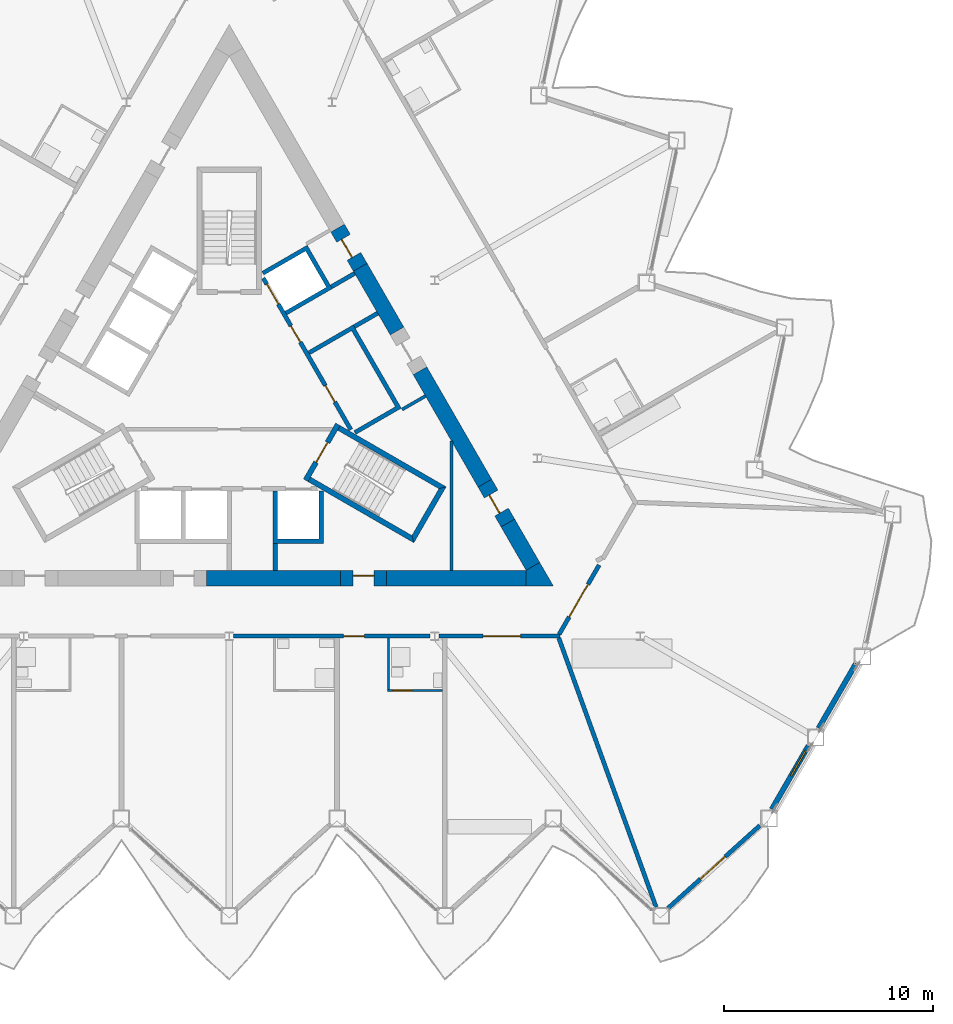
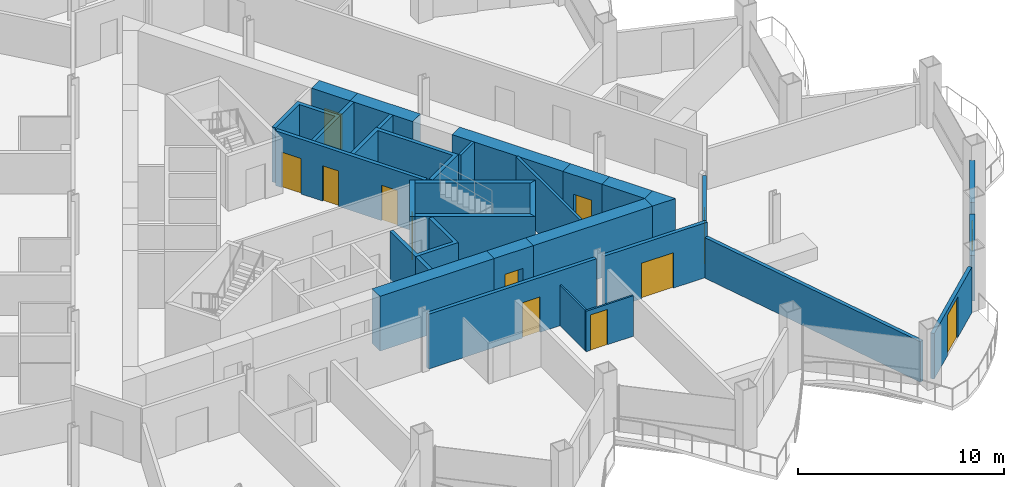
# One storey, part 13 of 23: 31 walls, 12 doors, 1 window, 13 openings.
"""IFC4 building model written with IfcOpenShell, lengths in metres."""

from ifc_helpers import new_model, si_unit, direction, frame, frame_2d, origin, place, context, subcontext, project, spatial, polyline, rectangle, outline, extrude, material, layer, layer_set, type_object, element, fill, save


model = new_model("IFC4")

# Units and contexts
model_context = context("Model", 3, precision=1e-05, world=origin(), true_north=direction((0.0, 1.0)))
body_context = subcontext(model_context, "Body", "Model", "MODEL_VIEW")
ifc_project = project(units=[si_unit("LENGTHUNIT", "METRE"), si_unit("AREAUNIT", "SQUARE_METRE"), si_unit("VOLUMEUNIT", "CUBIC_METRE"), si_unit("PLANEANGLEUNIT", "RADIAN"), si_unit("MASSUNIT", "GRAM", prefix="KILO")], contexts=[model_context])

# Site, building, storey
site_placement = place(None, origin())
site = spatial("IfcSite", under=ifc_project, at=site_placement, CompositionType="ELEMENT")
building_placement = place(site_placement, origin())
building = spatial("IfcBuilding", under=site, at=building_placement, Name="Cormorant Prow Tower", CompositionType="ELEMENT")
storey_placement = place(building_placement, frame((0.0, 0.0, 208.800048828125)))
storey = spatial("IfcBuildingStorey", under=building, at=storey_placement, Name="L46", CompositionType="ELEMENT", Elevation=208.800048828125)

# Walls
ifc_material_1 = material(Name="Gypsum board partition")
ifc_layer_1 = layer(ifc_material_1, 0.14990234375)
ifc_layer_set_1 = layer_set([ifc_layer_1], Name="Gypsum board partition")
wall_type_1 = type_object("IfcWallType", Name="Core partition 150", PredefinedType="PARTITIONING", material=ifc_layer_set_1)
wall_1_placement = place(storey_placement, frame((8.268310546875, -0.509033203125, 0.0), z_axis=(0.0, 0.0, 1.0), x_axis=(0.866003189247, 0.500038474733, 0.0)))
element("IfcWall", 1, at=wall_1_placement, inside=storey, type_object=wall_type_1, Name="Service room partition", PredefinedType="PARTITIONING", context=body_context, shape_type="SweptSolid", body=[
    extrude(rectangle(XDim=1.29296875, YDim=0.14990234375, at=frame_2d((0.646484375, 0.0))), origin(), (0.0, 0.0, 1.0), 3.25),
])
wall_2_placement = place(storey_placement, frame((10.630615234375, -8.198974609375, 0.0), z_axis=(0.0, 0.0, 1.0), x_axis=(0.0, 1.0, 0.0)))
element("IfcWall", 2, at=wall_2_placement, inside=storey, type_object=wall_type_1, Name="Service room partition", PredefinedType="PARTITIONING", context=body_context, shape_type="SweptSolid", body=[
    extrude(rectangle(XDim=6.18408203125, YDim=0.14990234375, at=frame_2d((3.092041015625, 0.0))), origin(), (0.0, 0.0, 1.0), 3.25),
])
ifc_material_2 = material(Name="Concrete 8000 psi", Category="concrete")
ifc_layer_2 = layer(ifc_material_2, 0.75)
ifc_layer_set_2 = layer_set([ifc_layer_2], Name="Concrete 8000 psi")
wall_type_2 = type_object("IfcWallType", Name="Core shear wall 750", PredefinedType="SHEAR", material=ifc_layer_set_2)
wall_3_placement = place(storey_placement, frame((7.52783203125, -8.573974609375, 0.0), z_axis=(0.0, 0.0, 1.0), x_axis=(1.0, 0.0, 0.0)))
element("IfcWall", 3, at=wall_3_placement, inside=storey, type_object=wall_type_2, Name="Core wall", PredefinedType="SHEAR", context=body_context, shape_type="SweptSolid", body=[
    extrude(rectangle(XDim=6.673095703125, YDim=0.75, at=frame_2d((3.33642578125, 0.0))), origin(), (0.0, 0.0, 1.0), 3.25),
])
wall_4_placement = place(storey_placement, frame((-1.07763671875, -8.573974609375, 0.0), z_axis=(0.0, 0.0, 1.0), x_axis=(1.0, 0.0, 0.0)))
element("IfcWall", 4, at=wall_4_placement, inside=storey, type_object=wall_type_2, Name="Core wall", PredefinedType="SHEAR", context=body_context, shape_type="SweptSolid", body=[
    extrude(rectangle(XDim=6.405517578125, YDim=0.75, at=frame_2d((3.20263671875, 0.0))), origin(), (0.0, 0.0, 1.0), 3.25),
])
wall_5_placement = place(storey_placement, frame((12.22802734375, -4.03173828125, 0.0), z_axis=(0.0, 0.0, 1.0), x_axis=(-0.499993760127, 0.866029006347, 0.0)))
element("IfcWall", 5, at=wall_5_placement, inside=storey, type_object=wall_type_2, Name="Core wall", PredefinedType="SHEAR", context=body_context, shape_type="SweptSolid", body=[
    extrude(rectangle(XDim=6.20556640625, YDim=0.75, at=frame_2d((3.102783203125, 0.0))), origin(), (0.0, 0.0, 1.0), 3.25),
])
wall_6_placement = place(storey_placement, frame((8.025146484375, 3.247802734375, 0.0), z_axis=(0.0, 0.0, 1.0), x_axis=(-0.499958618571, 0.866049294045, 0.0)))
element("IfcWall", 6, at=wall_6_placement, inside=storey, type_object=wall_type_2, Name="Core wall", PredefinedType="SHEAR", context=body_context, shape_type="SweptSolid", body=[
    extrude(rectangle(XDim=3.519775390625, YDim=0.75, at=frame_2d((1.759765625, 0.0))), origin(), (0.0, 0.0, 1.0), 3.25),
])
wall_7_placement = place(storey_placement, frame((14.525634765625, -8.011474609375, 0.0), z_axis=(0.0, 0.0, 1.0), x_axis=(-0.499943030081, 0.866058292884, 0.0)))
element("IfcWall", 7, at=wall_7_placement, inside=storey, type_object=wall_type_2, Name="Core wall", PredefinedType="SHEAR", context=body_context, shape_type="SweptSolid", body=[
    extrude(rectangle(XDim=2.395263671875, YDim=0.75, at=frame_2d((1.19775390625, 0.0))), origin(), (0.0, 0.0, 1.0), 3.25),
])
wall_8_placement = place(storey_placement, origin())
element("IfcWall", 8, at=wall_8_placement, inside=storey, type_object=wall_type_2, Name="Core wall corner", PredefinedType="SHEAR", context=body_context, shape_type="SweptSolid", body=[
    extrude(outline(polyline([(14.200927734375, -8.948974609375), (14.200927734375, -8.198974609375), (14.8505859375, -7.823974609375), (15.5, -8.948974609375), (14.200927734375, -8.948974609375)])), origin(), (0.0, 0.0, 1.0), 3.25),
])

# Wall, opening, door
wall_9_placement = place(storey_placement, frame((13.328125, -5.93701171875, 0.0), z_axis=(0.0, 0.0, 1.0), x_axis=(-0.50002983664, 0.866008176907, 0.0)))
wall_9 = element("IfcWall", 9, at=wall_9_placement, inside=storey, type_object=wall_type_2, Name="Core wall door panel", PredefinedType="SHEAR", context=body_context, shape_type="SweptSolid", body=[
    extrude(rectangle(XDim=2.199951171875, YDim=0.75, at=frame_2d((1.10009765625, 0.0))), origin(), (0.0, 0.0, 1.0), 3.25),
])
opening_1_placement = place(wall_9_placement, frame((0.60009765625, 0.0, 0.0)))
opening_1 = element("IfcOpeningElement", 10, at=opening_1_placement, cuts=wall_9, Name="Opening L46-C15", PredefinedType="OPENING", context=body_context, shape_type="SweptSolid", body=[
    extrude(rectangle(XDim=1.0, YDim=2.10009765625, at=frame_2d((0.5, 1.050048828125))), frame((0.0, 0.385009765625, 0.0), z_axis=(0.0, -1.0, 0.0), x_axis=(1.0, 0.0, 0.0)), (0.0, 0.0, 1.0), 0.77001953125),
])
ifc_material_3 = material(Name="Painted steel", Category="steel")
door_type_1 = type_object("IfcDoorType", Name="Service door 1000x2100", OperationType="NOTDEFINED", PredefinedType="DOOR", material=ifc_material_3)
door_1_placement = place(opening_1_placement, origin())
door_1 = element("IfcDoor", 11, at=door_1_placement, inside=storey, type_object=door_type_1, Name="Core door, Electrical room", OperationType="SINGLE_SWING_RIGHT", OverallHeight=2.10009765625, OverallWidth=1.0, PredefinedType="DOOR", context=body_context, shape_type="SweptSolid", body=[
    extrude(rectangle(XDim=1.0, YDim=2.10009765625, at=frame_2d((0.5, 1.050048828125))), frame((0.0, 0.1298828125, 0.0), z_axis=(0.0, -1.0, 0.0), x_axis=(1.0, 0.0, 0.0)), (0.0, 0.0, 1.0), 0.050048828125),
])
fill(opening_1, door_1)

wall_10_placement = place(storey_placement, frame((5.327880859375, -8.573974609375, 0.0), z_axis=(0.0, 0.0, 1.0), x_axis=(1.0, 0.0, 0.0)))
wall_10 = element("IfcWall", 12, at=wall_10_placement, inside=storey, type_object=wall_type_2, Name="Core wall door panel", PredefinedType="SHEAR", context=body_context, shape_type="SweptSolid", body=[
    extrude(rectangle(XDim=2.199951171875, YDim=0.75, at=frame_2d((1.10009765625, 0.0))), origin(), (0.0, 0.0, 1.0), 3.25),
])
opening_2_placement = place(wall_10_placement, frame((0.60009765625, 0.0, 0.0)))
opening_2 = element("IfcOpeningElement", 13, at=opening_2_placement, cuts=wall_10, Name="Opening L46-C17", PredefinedType="OPENING", context=body_context, shape_type="SweptSolid", body=[
    extrude(rectangle(XDim=1.0, YDim=2.10009765625, at=frame_2d((0.5, 1.050048828125))), frame((0.0, 0.385009765625, 0.0), z_axis=(0.0, -1.0, 0.0), x_axis=(1.0, 0.0, 0.0)), (0.0, 0.0, 1.0), 0.77001953125),
])
door_2_placement = place(opening_2_placement, origin())
door_2 = element("IfcDoor", 14, at=door_2_placement, inside=storey, type_object=door_type_1, Name="Core door, Refuse store", OperationType="SINGLE_SWING_RIGHT", OverallHeight=2.10009765625, OverallWidth=1.0, PredefinedType="DOOR", context=body_context, shape_type="SweptSolid", body=[
    extrude(rectangle(XDim=1.0, YDim=2.10009765625, at=frame_2d((0.5, 1.050048828125))), frame((0.0, 0.1298828125, 0.0), z_axis=(0.0, -1.0, 0.0), x_axis=(1.0, 0.0, 0.0)), (0.0, 0.0, 1.0), 0.050048828125),
])
fill(opening_2, door_2)

wall_11_placement = place(storey_placement, frame((6.265380859375, 6.296142578125, 0.0), z_axis=(0.0, 0.0, 1.0), x_axis=(-0.500029011134, 0.866008653551, 0.0)))
wall_11 = element("IfcWall", 15, at=wall_11_placement, inside=storey, type_object=wall_type_2, Name="Core wall door panel", PredefinedType="SHEAR", context=body_context, shape_type="SweptSolid", body=[
    extrude(rectangle(XDim=2.159912109375, YDim=0.75, at=frame_2d((1.080078125, 0.0))), origin(), (0.0, 0.0, 1.0), 3.25),
])
opening_3_placement = place(wall_11_placement, frame((0.60009765625, 0.0, 0.0)))
opening_3 = element("IfcOpeningElement", 16, at=opening_3_placement, cuts=wall_11, Name="Opening L46-C20", PredefinedType="OPENING", context=body_context, shape_type="SweptSolid", body=[
    extrude(rectangle(XDim=1.0, YDim=2.10009765625, at=frame_2d((0.5, 1.050048828125))), frame((0.0, 0.385009765625, 0.0), z_axis=(0.0, -1.0, 0.0), x_axis=(1.0, 0.0, 0.0)), (0.0, 0.0, 1.0), 0.77001953125),
])
door_3_placement = place(opening_3_placement, origin())
door_3 = element("IfcDoor", 17, at=door_3_placement, inside=storey, type_object=door_type_1, Name="Core door, Linen store", OperationType="SINGLE_SWING_RIGHT", OverallHeight=2.10009765625, OverallWidth=1.0, PredefinedType="DOOR", context=body_context, shape_type="SweptSolid", body=[
    extrude(rectangle(XDim=1.0, YDim=2.10009765625, at=frame_2d((0.5, 1.050048828125))), frame((0.0, 0.1298828125, 0.0), z_axis=(0.0, -1.0, 0.0), x_axis=(1.0, 0.0, 0.0)), (0.0, 0.0, 1.0), 0.050048828125),
])
fill(opening_3, door_3)

ifc_material_4 = material(Name="Gypsum board corridor wall")
ifc_layer_3 = layer(ifc_material_4, 0.199951171875)
ifc_layer_set_3 = layer_set([ifc_layer_3], Name="Gypsum board corridor wall")
wall_type_3 = type_object("IfcWallType", Name="Corridor wall 200", PredefinedType="PARTITIONING", material=ifc_layer_set_3)
wall_12_placement = place(storey_placement, frame((0.213623046875, -11.348876953125, 0.0), z_axis=(0.0, 0.0, 1.0), x_axis=(1.0, 0.0, 0.0)))
wall_12 = element("IfcWall", 18, at=wall_12_placement, inside=storey, type_object=wall_type_3, Name="Corridor wall", PredefinedType="PARTITIONING", context=body_context, shape_type="SweptSolid", body=[
    extrude(rectangle(XDim=9.401123046875, YDim=0.199951171875, at=frame_2d((4.70068359375, 0.0))), origin(), (0.0, 0.0, 1.0), 3.25),
])
opening_4_placement = place(wall_12_placement, frame((5.250732421875, 0.0, 0.0)))
opening_4 = element("IfcOpeningElement", 19, at=opening_4_placement, cuts=wall_12, Name="Opening L46-F06", PredefinedType="OPENING", context=body_context, shape_type="SweptSolid", body=[
    extrude(rectangle(XDim=1.0, YDim=2.10009765625, at=frame_2d((0.5, 1.050048828125))), frame((0.0, 0.10986328125, 0.0), z_axis=(0.0, -1.0, 0.0), x_axis=(1.0, 0.0, 0.0)), (0.0, 0.0, 1.0), 0.219970703125),
])
ifc_material_5 = material(Name="Timber door leaf", Category="wood")
door_type_2 = type_object("IfcDoorType", Name="Flat or room entrance door 1000x2100", OperationType="NOTDEFINED", PredefinedType="DOOR", material=ifc_material_5)
door_4_placement = place(opening_4_placement, origin())
door_4 = element("IfcDoor", 20, at=door_4_placement, inside=storey, type_object=door_type_2, Name="Guest room door", OperationType="SINGLE_SWING_LEFT", OverallHeight=2.10009765625, OverallWidth=1.0, PredefinedType="DOOR", context=body_context, shape_type="SweptSolid", body=[
    extrude(rectangle(XDim=1.0, YDim=2.10009765625, at=frame_2d((0.5, 1.050048828125))), frame((0.0, 0.02490234375, 0.0), z_axis=(0.0, -1.0, 0.0), x_axis=(1.0, 0.0, 0.0)), (0.0, 0.0, 1.0), 0.050048828125),
])
fill(opening_4, door_4)

wall_13_placement = place(storey_placement, frame((10.042236328125, -11.348876953125, 0.0), z_axis=(0.0, 0.0, 1.0), x_axis=(1.0, 0.0, 0.0)))
wall_13 = element("IfcWall", 21, at=wall_13_placement, inside=storey, type_object=wall_type_3, Name="Corridor wall", PredefinedType="PARTITIONING", context=body_context, shape_type="SweptSolid", body=[
    extrude(rectangle(XDim=5.78857421875, YDim=0.199951171875, at=frame_2d((2.894287109375, 0.0))), origin(), (0.0, 0.0, 1.0), 3.25),
])
opening_5_placement = place(wall_13_placement, frame((2.096923828125, 0.0, 0.0)))
opening_5 = element("IfcOpeningElement", 22, at=opening_5_placement, cuts=wall_13, Name="Opening L46-F08", PredefinedType="OPENING", context=body_context, shape_type="SweptSolid", body=[
    extrude(rectangle(XDim=1.800048828125, YDim=2.10009765625, at=frame_2d((0.89990234375, 1.050048828125))), frame((0.0, 0.10986328125, 0.0), z_axis=(0.0, -1.0, 0.0), x_axis=(1.0, 0.0, 0.0)), (0.0, 0.0, 1.0), 0.219970703125),
])
ifc_material_6 = material(Name="Timber door leaf", Category="wood")
door_type_3 = type_object("IfcDoorType", Name="Double door 1800x2100", OperationType="DOUBLE_DOOR_SINGLE_SWING", PredefinedType="DOOR", material=ifc_material_6)
door_5_placement = place(opening_5_placement, origin())
door_5 = element("IfcDoor", 23, at=door_5_placement, inside=storey, type_object=door_type_3, Name="Business centre door", OperationType="DOUBLE_DOOR_SINGLE_SWING", OverallHeight=2.10009765625, OverallWidth=1.800048828125, PredefinedType="DOOR", context=body_context, shape_type="SweptSolid", body=[
    extrude(rectangle(XDim=1.800048828125, YDim=2.10009765625, at=frame_2d((0.89990234375, 1.050048828125))), frame((0.0, 0.02490234375, 0.0), z_axis=(0.0, -1.0, 0.0), x_axis=(1.0, 0.0, 0.0)), (0.0, 0.0, 1.0), 0.050048828125),
])
fill(opening_5, door_5)

wall_14_placement = place(storey_placement, frame((15.781005859375, -11.26220703125, 0.0), z_axis=(0.0, 0.0, 1.0), x_axis=(0.499989446428, 0.866031496806, 0.0)))
wall_14 = element("IfcWall", 24, at=wall_14_placement, inside=storey, type_object=wall_type_3, Name="Corridor wall", PredefinedType="PARTITIONING", context=body_context, shape_type="SweptSolid", body=[
    extrude(rectangle(XDim=3.82568359375, YDim=0.199951171875, at=frame_2d((1.912841796875, 0.0))), origin(), (0.0, 0.0, 1.0), 3.25),
])
opening_6_placement = place(wall_14_placement, frame((0.962158203125, 0.0, 0.0)))
opening_6 = element("IfcOpeningElement", 25, at=opening_6_placement, cuts=wall_14, Name="Opening L46-F09", PredefinedType="OPENING", context=body_context, shape_type="SweptSolid", body=[
    extrude(rectangle(XDim=1.800048828125, YDim=2.10009765625, at=frame_2d((0.89990234375, 1.050048828125))), frame((0.0, 0.10986328125, 0.0), z_axis=(0.0, -1.0, 0.0), x_axis=(1.0, 0.0, 0.0)), (0.0, 0.0, 1.0), 0.219970703125),
])
door_6_placement = place(opening_6_placement, origin())
door_6 = element("IfcDoor", 26, at=door_6_placement, inside=storey, type_object=door_type_3, Name="Co-working space door", OperationType="DOUBLE_DOOR_SINGLE_SWING", OverallHeight=2.10009765625, OverallWidth=1.800048828125, PredefinedType="DOOR", context=body_context, shape_type="SweptSolid", body=[
    extrude(rectangle(XDim=1.800048828125, YDim=2.10009765625, at=frame_2d((0.89990234375, 1.050048828125))), frame((0.0, 0.02490234375, 0.0), z_axis=(0.0, -1.0, 0.0), x_axis=(1.0, 0.0, 0.0)), (0.0, 0.0, 1.0), 0.050048828125),
])
fill(opening_6, door_6)

# Wall
ifc_material_7 = material(Name="Gypsum board demising wall")
ifc_layer_4 = layer(ifc_material_7, 0.199951171875)
ifc_layer_set_4 = layer_set([ifc_layer_4], Name="Gypsum board demising wall")
wall_type_4 = type_object("IfcWallType", Name="Demising wall 200", PredefinedType="PARTITIONING", material=ifc_layer_set_4)
wall_15_placement = place(storey_placement, frame((15.764892578125, -11.443115234375, 0.0), z_axis=(0.0, 0.0, 1.0), x_axis=(0.340057865258, -0.940404513109, 0.0)))
element("IfcWall", 27, at=wall_15_placement, inside=storey, type_object=wall_type_4, Name="Demising wall", PredefinedType="PARTITIONING", context=body_context, shape_type="SweptSolid", body=[
    extrude(rectangle(XDim=13.683837890625, YDim=0.199951171875, at=frame_2d((6.841796875, 0.0))), origin(), (0.0, 0.0, 1.0), 2.404052734375),
])

# Wall, opening, door
ifc_material_8 = material(Name="Gypsum board partition")
ifc_layer_5 = layer(ifc_material_8, 0.10009765625)
ifc_layer_set_5 = layer_set([ifc_layer_5], Name="Gypsum board partition")
wall_type_5 = type_object("IfcWallType", Name="Internal partition 100", PredefinedType="PARTITIONING", material=ifc_layer_set_5)
wall_16_placement = place(storey_placement, frame((7.561279296875, -13.948974609375, 0.0), z_axis=(0.0, 0.0, 1.0), x_axis=(1.0, 0.0, 0.0)))
wall_16 = element("IfcWall", 28, at=wall_16_placement, inside=storey, type_object=wall_type_5, Name="Internal partition", PredefinedType="PARTITIONING", context=body_context, shape_type="SweptSolid", body=[
    extrude(rectangle(XDim=2.64990234375, YDim=0.10009765625, at=frame_2d((1.324951171875, 0.0))), origin(), (0.0, 0.0, 1.0), 2.404052734375),
])
opening_7_placement = place(wall_16_placement, frame((0.25, 0.0, 0.0)))
opening_7 = element("IfcOpeningElement", 29, at=opening_7_placement, cuts=wall_16, Name="Opening L46-F07", PredefinedType="OPENING", context=body_context, shape_type="SweptSolid", body=[
    extrude(rectangle(XDim=0.949951171875, YDim=2.10009765625, at=frame_2d((0.47509765625, 1.050048828125))), frame((0.0, 0.06005859375, 0.0), z_axis=(0.0, -1.0, 0.0), x_axis=(1.0, 0.0, 0.0)), (0.0, 0.0, 1.0), 0.1201171875),
])
ifc_material_9 = material(Name="Timber door leaf", Category="wood")
door_type_4 = type_object("IfcDoorType", Name="Bathroom door 950x2100", OperationType="NOTDEFINED", PredefinedType="DOOR", material=ifc_material_9)
door_7_placement = place(opening_7_placement, origin())
door_7 = element("IfcDoor", 30, at=door_7_placement, inside=storey, type_object=door_type_4, Name="Guest room door", OperationType="SINGLE_SWING_LEFT", OverallHeight=2.10009765625, OverallWidth=0.949951171875, PredefinedType="DOOR", context=body_context, shape_type="SweptSolid", body=[
    extrude(rectangle(XDim=0.949951171875, YDim=2.10009765625, at=frame_2d((0.47509765625, 1.050048828125))), frame((0.0, 0.02490234375, 0.0), z_axis=(0.0, -1.0, 0.0), x_axis=(1.0, 0.0, 0.0)), (0.0, 0.0, 1.0), 0.050048828125),
])
fill(opening_7, door_7)

# Wall
wall_17_placement = place(storey_placement, frame((7.611328125, -13.89892578125, 0.0), z_axis=(0.0, 0.0, 1.0), x_axis=(0.0, 1.0, 0.0)))
element("IfcWall", 31, at=wall_17_placement, inside=storey, type_object=wall_type_5, Name="Internal partition", PredefinedType="PARTITIONING", context=body_context, shape_type="SweptSolid", body=[
    extrude(rectangle(XDim=2.449951171875, YDim=0.10009765625, at=frame_2d((1.22509765625, 0.0))), origin(), (0.0, 0.0, 1.0), 2.404052734375),
])

# Wall, openings, doors
ifc_material_10 = material(Name="Concrete 5000 psi", Category="concrete")
ifc_layer_6 = layer(ifc_material_10, 0.199951171875)
ifc_layer_set_6 = layer_set([ifc_layer_6], Name="Concrete 5000 psi")
wall_type_6 = type_object("IfcWallType", Name="Lift lobby wall 200", PredefinedType="SOLIDWALL", material=ifc_layer_set_6)
wall_18_placement = place(storey_placement, frame((5.817138671875, -1.4755859375, 0.0), z_axis=(0.0, 0.0, 1.0), x_axis=(-0.500002616675, 0.866023893041, 0.0)))
wall_18 = element("IfcWall", 32, at=wall_18_placement, inside=storey, type_object=wall_type_6, Name="Lift lobby wall, ENE block", PredefinedType="SOLIDWALL", context=body_context, shape_type="SweptSolid", body=[
    extrude(rectangle(XDim=8.373046875, YDim=0.199951171875, at=frame_2d((4.1865234375, 0.0))), origin(), (0.0, 0.0, 1.0), 3.25),
])
opening_8_placement = place(wall_18_placement, frame((1.53662109375, 0.0, 0.0)))
opening_8 = element("IfcOpeningElement", 33, at=opening_8_placement, cuts=wall_18, Name="Opening L46-C05", PredefinedType="OPENING", context=body_context, shape_type="SweptSolid", body=[
    extrude(rectangle(XDim=0.89990234375, YDim=2.10009765625, at=frame_2d((0.449951171875, 1.050048828125))), frame((0.0, 0.10986328125, 0.0), z_axis=(0.0, -1.0, 0.0), x_axis=(1.0, 0.0, 0.0)), (0.0, 0.0, 1.0), 0.219970703125),
])
opening_9_placement = place(wall_18_placement, frame((4.836669921875, 0.0, 0.0)))
opening_9 = element("IfcOpeningElement", 34, at=opening_9_placement, cuts=wall_18, Name="Opening L46-C06", PredefinedType="OPENING", context=body_context, shape_type="SweptSolid", body=[
    extrude(rectangle(XDim=0.89990234375, YDim=2.10009765625, at=frame_2d((0.449951171875, 1.050048828125))), frame((0.0, 0.10986328125, 0.0), z_axis=(0.0, -1.0, 0.0), x_axis=(1.0, 0.0, 0.0)), (0.0, 0.0, 1.0), 0.219970703125),
])
opening_10_placement = place(wall_18_placement, frame((6.9365234375, 0.0, 0.0)))
opening_10 = element("IfcOpeningElement", 35, at=opening_10_placement, cuts=wall_18, Name="Opening L46-C07", PredefinedType="OPENING", context=body_context, shape_type="SweptSolid", body=[
    extrude(rectangle(XDim=1.10009765625, YDim=2.10009765625, at=frame_2d((0.550048828125, 1.050048828125))), frame((0.0, 0.10986328125, 0.0), z_axis=(0.0, -1.0, 0.0), x_axis=(1.0, 0.0, 0.0)), (0.0, 0.0, 1.0), 0.219970703125),
])
ifc_material_11 = material(Name="Painted steel", Category="steel")
door_type_5 = type_object("IfcDoorType", Name="Lift landing door 1100x2100", OperationType="SLIDING_TO_LEFT", PredefinedType="DOOR", material=ifc_material_11)
door_8_placement = place(opening_10_placement, origin())
door_8 = element("IfcDoor", 36, at=door_8_placement, inside=storey, type_object=door_type_5, Name="Landing door MR1", OperationType="SLIDING_TO_LEFT", OverallHeight=2.10009765625, OverallWidth=1.10009765625, PredefinedType="DOOR", context=body_context, shape_type="SweptSolid", body=[
    extrude(rectangle(XDim=1.10009765625, YDim=2.10009765625, at=frame_2d((0.550048828125, 1.050048828125))), frame((0.0, 0.02490234375, 0.0), z_axis=(0.0, -1.0, 0.0), x_axis=(1.0, 0.0, 0.0)), (0.0, 0.0, 1.0), 0.050048828125),
])
fill(opening_10, door_8)
ifc_material_12 = material(Name="Painted steel", Category="steel")
door_type_6 = type_object("IfcDoorType", Name="Service door 900x2100", OperationType="NOTDEFINED", PredefinedType="DOOR", material=ifc_material_12)
door_9_placement = place(opening_8_placement, origin())
door_9 = element("IfcDoor", 37, at=door_9_placement, inside=storey, type_object=door_type_6, Name="Service door, Refuse store", OperationType="SINGLE_SWING_LEFT", OverallHeight=2.10009765625, OverallWidth=0.89990234375, PredefinedType="DOOR", context=body_context, shape_type="SweptSolid", body=[
    extrude(rectangle(XDim=0.89990234375, YDim=2.10009765625, at=frame_2d((0.449951171875, 1.050048828125))), frame((0.0, 0.02490234375, 0.0), z_axis=(0.0, -1.0, 0.0), x_axis=(1.0, 0.0, 0.0)), (0.0, 0.0, 1.0), 0.050048828125),
])
fill(opening_8, door_9)
door_10_placement = place(opening_9_placement, origin())
door_10 = element("IfcDoor", 38, at=door_10_placement, inside=storey, type_object=door_type_6, Name="Service door, Telecom room", OperationType="SINGLE_SWING_RIGHT", OverallHeight=2.10009765625, OverallWidth=0.89990234375, PredefinedType="DOOR", context=body_context, shape_type="SweptSolid", body=[
    extrude(rectangle(XDim=0.89990234375, YDim=2.10009765625, at=frame_2d((0.449951171875, 1.050048828125))), frame((0.0, 0.02490234375, 0.0), z_axis=(0.0, -1.0, 0.0), x_axis=(1.0, 0.0, 0.0)), (0.0, 0.0, 1.0), 0.050048828125),
])
fill(opening_9, door_10)

# Walls
ifc_material_13 = material(Name="Concrete 8000 psi", Category="concrete")
ifc_layer_7 = layer(ifc_material_13, 0.199951171875)
ifc_layer_set_7 = layer_set([ifc_layer_7], Name="Concrete 8000 psi")
wall_type_7 = type_object("IfcWallType", Name="Lift shaft wall 200", PredefinedType="SHEAR", material=ifc_layer_set_7)
wall_19_placement = place(storey_placement, origin())
element("IfcWall", 39, at=wall_19_placement, inside=storey, type_object=wall_type_7, Name="Lift shaft walls, S block", PredefinedType="SHEAR", context=body_context, shape_type="SweptSolid", body=[
    extrude(outline(polyline([(4.5, -4.39990234375), (4.5, -6.906005859375), (2.10009765625, -6.906005859375), (2.10009765625, -4.39990234375), (2.300048828125, -4.39990234375), (2.300048828125, -6.699951171875), (4.300048828125, -6.699951171875), (4.300048828125, -4.39990234375), (4.5, -4.39990234375)])), origin(), (0.0, 0.0, 1.0), 3.25),
])
wall_20_placement = place(storey_placement, frame((2.199951171875, -6.906005859375, 0.0), z_axis=(0.0, 0.0, 1.0), x_axis=(0.0, -1.0, 0.0)))
element("IfcWall", 40, at=wall_20_placement, inside=storey, type_object=wall_type_7, Name="Store side wall", PredefinedType="SHEAR", context=body_context, shape_type="SweptSolid", body=[
    extrude(rectangle(XDim=1.29296875, YDim=0.199951171875, at=frame_2d((0.646484375, 0.0))), origin(), (0.0, 0.0, 1.0), 3.25),
])
wall_21_placement = place(storey_placement, origin())
element("IfcWall", 41, at=wall_21_placement, inside=storey, type_object=wall_type_7, Name="Lift shaft walls, ENE block", PredefinedType="SHEAR", context=body_context, shape_type="SweptSolid", body=[
    extrude(outline(polyline([(1.560546875, 6.09716796875), (3.730712890625, 7.35009765625), (4.930908203125, 5.271728515625), (2.760498046875, 4.018798828125), (2.660400390625, 4.19189453125), (4.65234375, 5.341796875), (3.65234375, 7.073974609375), (1.660400390625, 5.923828125), (1.560546875, 6.09716796875)])), origin(), (0.0, 0.0, 1.0), 3.25),
])
wall_22_placement = place(storey_placement, origin())
element("IfcWall", 42, at=wall_22_placement, inside=storey, type_object=wall_type_7, Name="Lift shaft walls, ENE block", PredefinedType="SHEAR", context=body_context, shape_type="SweptSolid", body=[
    extrude(outline(polyline([(3.760498046875, 2.28662109375), (5.930908203125, 3.53955078125), (8.230712890625, -0.444091796875), (6.060546875, -1.697021484375), (5.96044921875, -1.52392578125), (7.952392578125, -0.373779296875), (5.852294921875, 3.263427734375), (3.860595703125, 2.11328125), (3.760498046875, 2.28662109375)])), origin(), (0.0, 0.0, 1.0), 3.25),
])
wall_23_placement = place(storey_placement, frame((5.980712890625, 3.452880859375, 0.0), z_axis=(0.0, 0.0, 1.0), x_axis=(0.865968639725, 0.500098305348, 0.0)))
element("IfcWall", 43, at=wall_23_placement, inside=storey, type_object=wall_type_7, Name="Store side wall", PredefinedType="SHEAR", context=body_context, shape_type="SweptSolid", body=[
    extrude(rectangle(XDim=1.293212890625, YDim=0.199951171875, at=frame_2d((0.646484375, 0.0))), origin(), (0.0, 0.0, 1.0), 3.25),
])
wall_24_placement = place(storey_placement, frame((4.880859375, 5.3583984375, 0.0), z_axis=(0.0, 0.0, 1.0), x_axis=(0.866084958089, 0.499896834728, 0.0)))
element("IfcWall", 44, at=wall_24_placement, inside=storey, type_object=wall_type_7, Name="Store side wall", PredefinedType="SHEAR", context=body_context, shape_type="SweptSolid", body=[
    extrude(rectangle(XDim=1.292724609375, YDim=0.199951171875, at=frame_2d((0.646484375, 0.0))), origin(), (0.0, 0.0, 1.0), 3.25),
])
ifc_material_14 = material(Name="Concrete 8000 psi", Category="concrete")
ifc_layer_8 = layer(ifc_material_14, 0.25)
ifc_layer_set_8 = layer_set([ifc_layer_8], Name="Concrete 8000 psi")
wall_type_8 = type_object("IfcWallType", Name="Stair wall 250", PredefinedType="SHEAR", material=ifc_layer_set_8)
wall_25_placement = place(storey_placement, origin())
element("IfcWall", 45, at=wall_25_placement, inside=storey, type_object=wall_type_8, Name="Stair ST2 enclosure wall (flank)", PredefinedType="SHEAR", context=body_context, shape_type="SweptSolid", body=[
    extrude(outline(polyline([(3.76318359375, -3.95556640625), (8.82958984375, -6.880615234375), (8.738037109375, -6.5390625), (3.88818359375, -3.739013671875), (3.76318359375, -3.95556640625)])), origin(), (0.0, 0.0, 1.0), 3.25),
])
wall_26_placement = place(storey_placement, origin())
element("IfcWall", 46, at=wall_26_placement, inside=storey, type_object=wall_type_8, Name="Stair ST2 enclosure wall (end)", PredefinedType="SHEAR", context=body_context, shape_type="SweptSolid", body=[
    extrude(outline(polyline([(8.82958984375, -6.880615234375), (10.37353515625, -4.206298828125), (10.031982421875, -4.2978515625), (8.738037109375, -6.5390625), (8.82958984375, -6.880615234375)])), origin(), (0.0, 0.0, 1.0), 3.25),
])
wall_27_placement = place(storey_placement, origin())
element("IfcWall", 47, at=wall_27_placement, inside=storey, type_object=wall_type_8, Name="Stair ST2 enclosure wall (flank)", PredefinedType="SHEAR", context=body_context, shape_type="SweptSolid", body=[
    extrude(outline(polyline([(10.031982421875, -4.2978515625), (10.37353515625, -4.206298828125), (5.30712890625, -1.28125), (5.18212890625, -1.497802734375), (10.031982421875, -4.2978515625)])), origin(), (0.0, 0.0, 1.0), 3.25),
])

# Wall, opening, door
wall_28_placement = place(storey_placement, frame((3.655029296875, -3.89306640625, 0.0), z_axis=(0.0, 0.0, 1.0), x_axis=(0.499982516597, 0.866035497597, 0.0)))
wall_28 = element("IfcWall", 48, at=wall_28_placement, inside=storey, type_object=wall_type_8, Name="Stair ST2 door wall", PredefinedType="SHEAR", context=body_context, shape_type="SweptSolid", body=[
    extrude(rectangle(XDim=3.087890625, YDim=0.25, at=frame_2d((1.5439453125, 0.0))), origin(), (0.0, 0.0, 1.0), 3.25),
])
opening_11_placement = place(wall_28_placement, frame((0.993896484375, 0.0, 0.0)))
opening_11 = element("IfcOpeningElement", 49, at=opening_11_placement, cuts=wall_28, Name="Opening L46-C12", PredefinedType="OPENING", context=body_context, shape_type="SweptSolid", body=[
    extrude(rectangle(XDim=1.10009765625, YDim=2.10009765625, at=frame_2d((0.550048828125, 1.050048828125))), frame((0.0, 0.135009765625, 0.0), z_axis=(0.0, -1.0, 0.0), x_axis=(1.0, 0.0, 0.0)), (0.0, 0.0, 1.0), 0.27001953125),
])
ifc_material_15 = material(Name="Painted steel", Category="steel")
door_type_7 = type_object("IfcDoorType", Name="Stair door 1100x2100", OperationType="NOTDEFINED", PredefinedType="DOOR", material=ifc_material_15)
door_11_placement = place(opening_11_placement, origin())
door_11 = element("IfcDoor", 50, at=door_11_placement, inside=storey, type_object=door_type_7, Name="Stair ST2 door", OperationType="SINGLE_SWING_RIGHT", OverallHeight=2.10009765625, OverallWidth=1.10009765625, PredefinedType="DOOR", context=body_context, shape_type="SweptSolid", body=[
    extrude(rectangle(XDim=1.10009765625, YDim=2.10009765625, at=frame_2d((0.550048828125, 1.050048828125))), frame((0.0, 0.02490234375, 0.0), z_axis=(0.0, -1.0, 0.0), x_axis=(1.0, 0.0, 0.0)), (0.0, 0.0, 1.0), 0.050048828125),
])
fill(opening_11, door_11)

# Wall, opening, window
ifc_material_16 = material(Name="Terracotta", Category="masonry")
ifc_layer_9 = layer(ifc_material_16, 0.25)
ifc_layer_set_9 = layer_set([ifc_layer_9], Name="Terracotta")
wall_type_9 = type_object("IfcWallType", Name="Terracotta bay wall 250", PredefinedType="SOLIDWALL", material=ifc_layer_set_9)
wall_29_placement = place(storey_placement, frame((25.953857421875, -19.630615234375, 0.0), z_axis=(0.0, 0.0, 1.0), x_axis=(0.500006525586, 0.866021636203, 0.0)))
wall_29 = element("IfcWall", 51, at=wall_29_placement, inside=storey, type_object=wall_type_9, Name="Terracotta bay wall ESE00", PredefinedType="SOLIDWALL", context=body_context, shape_type="SweptSolid", body=[
    extrude(rectangle(XDim=3.49658203125, YDim=0.25, at=frame_2d((1.748291015625, 0.0))), origin(), (0.0, 0.0, 1.0), 2.700927734375),
])
opening_12_placement = place(wall_29_placement, frame((1.85009765625, 0.0, 1.699951171875)))
opening_12 = element("IfcOpeningElement", 52, at=opening_12_placement, cuts=wall_29, Name="Opening WN3", PredefinedType="OPENING", context=body_context, shape_type="SweptSolid", body=[
    extrude(rectangle(XDim=1.39990234375, YDim=0.800048828125, at=frame_2d((0.699951171875, 0.39990234375))), frame((0.0, 0.135009765625, 0.0), z_axis=(0.0, -1.0, 0.0), x_axis=(1.0, 0.0, 0.0)), (0.0, 0.0, 1.0), 0.27001953125),
])
ifc_material_17 = material(Name="Aluminium 6063-T6", Category="aluminium")
window_type = type_object("IfcWindowType", Name="Corner bay window 1400x800", PartitioningType="SINGLE_PANEL", PredefinedType="WINDOW", material=ifc_material_17)
window_placement = place(opening_12_placement, origin())
window = element("IfcWindow", 53, at=window_placement, inside=storey, type_object=window_type, Name="Corner bay window ESE00", OverallHeight=0.800048828125, OverallWidth=1.39990234375, PartitioningType="SINGLE_PANEL", PredefinedType="WINDOW", context=body_context, shape_type="SweptSolid", body=[
    extrude(rectangle(XDim=1.39990234375, YDim=0.800048828125, at=frame_2d((0.699951171875, 0.39990234375))), frame((0.0, 0.030029296875, 0.0), z_axis=(0.0, -1.0, 0.0), x_axis=(1.0, 0.0, 0.0)), (0.0, 0.0, 1.0), 0.06005859375),
])
fill(opening_12, window)

# Wall
wall_30_placement = place(storey_placement, frame((28.194580078125, -15.749755859375, 0.0), z_axis=(0.0, 0.0, 1.0), x_axis=(0.500004952373, 0.866022544512, 0.0)))
element("IfcWall", 54, at=wall_30_placement, inside=storey, type_object=wall_type_9, Name="Terracotta bay wall ESE01", PredefinedType="SOLIDWALL", context=body_context, shape_type="SweptSolid", body=[
    extrude(rectangle(XDim=3.56591796875, YDim=0.25, at=frame_2d((1.782958984375, 0.0))), origin(), (0.0, 0.0, 1.0), 2.700927734375),
])

# Wall, opening, door
ifc_material_18 = material(Name="Terracotta", Category="masonry")
ifc_layer_10 = layer(ifc_material_18, 0.199951171875)
ifc_layer_set_10 = layer_set([ifc_layer_10], Name="Terracotta")
wall_type_10 = type_object("IfcWallType", Name="Terracotta jamb wall 200", PredefinedType="SOLIDWALL", material=ifc_layer_set_10)
wall_31_placement = place(storey_placement, frame((20.977783203125, -24.37255859375, 0.0), z_axis=(0.0, 0.0, 1.0), x_axis=(0.743154671439, 0.669119671149, 0.0)))
wall_31 = element("IfcWall", 55, at=wall_31_placement, inside=storey, type_object=wall_type_10, Name="Terracotta jamb wall S09", PredefinedType="SOLIDWALL", context=body_context, shape_type="SweptSolid", body=[
    extrude(rectangle(XDim=5.919189453125, YDim=0.199951171875, at=frame_2d((2.95947265625, 0.0))), origin(), (0.0, 0.0, 1.0), 2.700927734375),
])
opening_13_placement = place(wall_31_placement, frame((2.100830078125, 0.0, 0.0)))
opening_13 = element("IfcOpeningElement", 56, at=opening_13_placement, cuts=wall_31, Name="Opening ED46.05", PredefinedType="OPENING", context=body_context, shape_type="SweptSolid", body=[
    extrude(rectangle(XDim=1.60009765625, YDim=2.39990234375, at=frame_2d((0.800048828125, 1.199951171875))), frame((0.0, 0.10986328125, 0.0), z_axis=(0.0, -1.0, 0.0), x_axis=(1.0, 0.0, 0.0)), (0.0, 0.0, 1.0), 0.219970703125),
])
ifc_material_19 = material(Name="Aluminium 6063-T6", Category="aluminium")
door_type_8 = type_object("IfcDoorType", Name="Balcony door 1600x2400", OperationType="DOUBLE_DOOR_SINGLE_SWING", PredefinedType="DOOR", material=ifc_material_19)
door_12_placement = place(opening_13_placement, origin())
door_12 = element("IfcDoor", 57, at=door_12_placement, inside=storey, type_object=door_type_8, Name="Balcony door S09 ED46.05", OperationType="DOUBLE_DOOR_SINGLE_SWING", OverallHeight=2.39990234375, OverallWidth=1.60009765625, PredefinedType="DOOR", context=body_context, shape_type="SweptSolid", body=[
    extrude(rectangle(XDim=1.60009765625, YDim=2.39990234375, at=frame_2d((0.800048828125, 1.199951171875))), frame((0.0, 0.02490234375, 0.0), z_axis=(0.0, -1.0, 0.0), x_axis=(1.0, 0.0, 0.0)), (0.0, 0.0, 1.0), 0.050048828125),
])
fill(opening_13, door_12)

save(model, "model.ifc")
